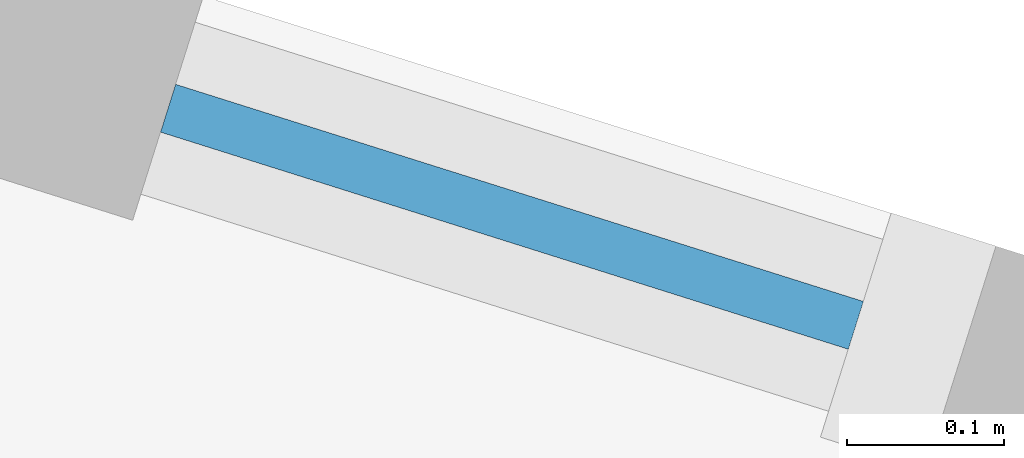
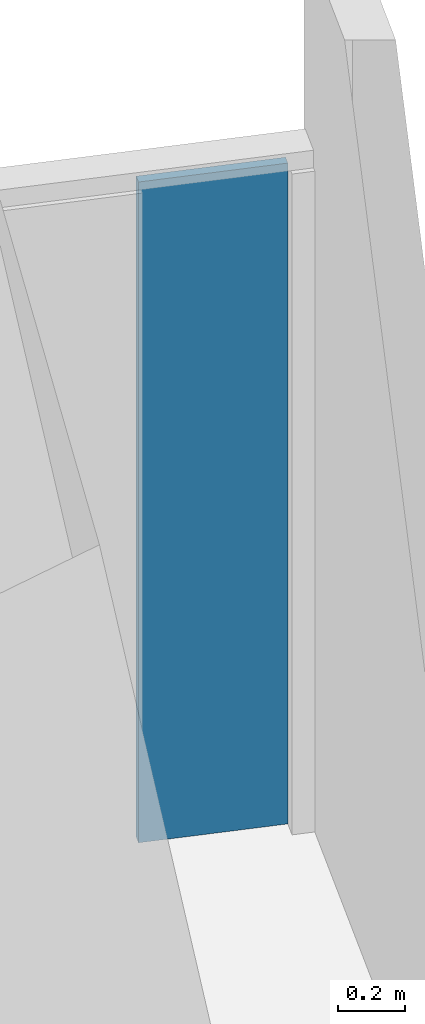
# One storey, part 14 of 24: 1 plate, 1 element without a shape of its own.
"""IFC4 building model written with IfcOpenShell, lengths in metres."""

from ifc_helpers import new_model, si_unit, direction, frame, origin, origin_2d, place, context, subcontext, project, spatial, rectangle, extrude, material, layer, layer_set, type_object, element, aggregate, save


model = new_model("IFC4")

# Units and contexts
model_context = context("Model", 3, precision=1e-05, world=origin(), true_north=direction((0.0, 1.0)))
body_context = subcontext(model_context, "Body", "Model", "MODEL_VIEW")
ifc_project = project(units=[si_unit("LENGTHUNIT", "METRE"), si_unit("AREAUNIT", "SQUARE_METRE"), si_unit("VOLUMEUNIT", "CUBIC_METRE"), si_unit("PLANEANGLEUNIT", "RADIAN"), si_unit("MASSUNIT", "GRAM", prefix="KILO")], contexts=[model_context])

# Site, building, storey
site_placement = place(None, origin())
site = spatial("IfcSite", under=ifc_project, at=site_placement, CompositionType="ELEMENT")
building_placement = place(site_placement, origin())
building = spatial("IfcBuilding", under=site, at=building_placement, Name="Verdalira Terraces Hotel", CompositionType="ELEMENT")
storey_placement = place(building_placement, frame((0.0, 0.0, 86.0)))
storey = spatial("IfcBuildingStorey", under=building, at=storey_placement, Name="L19", CompositionType="ELEMENT", Elevation=86.0)

# Curtain wall, plate
ifc_material_1 = material(Name="Clear glass", Category="glass")
ifc_layer_1 = layer(ifc_material_1, 0.14990234375)
ifc_layer_set_1 = layer_set([ifc_layer_1], Name="CW2 curtain wall")
curtain_wall_type = type_object("IfcCurtainWallType", Name="CW2 curtain wall", PredefinedType="NOTDEFINED", material=ifc_layer_set_1)
curtain_wall_placement = place(storey_placement, origin())
curtain_wall = element("IfcCurtainWall", 1, at=curtain_wall_placement, inside=storey, type_object=curtain_wall_type, Name="CW2 curtain wall L19 edge 38", PredefinedType="NOTDEFINED")
ifc_material_2 = material(Name="Clear glass", Category="glass")
ifc_layer_2 = layer(ifc_material_2, 0.031982421875)
ifc_layer_set_2 = layer_set([ifc_layer_2], Name="CW2 glass unit 32")
plate_type = type_object("IfcPlateType", Name="CW2 glass unit 32", PredefinedType="CURTAIN_PANEL", material=ifc_layer_set_2)
plate_placement = place(storey_placement, frame((31.684082, -3.264648, 0.0), z_axis=(0.0, 0.0, 1.0), x_axis=(-0.953611927, 0.301038691, 0.0)))
plate = element("IfcPlate", 2, at=plate_placement, type_object=plate_type, Name="CW2 glass unit", PredefinedType="CURTAIN_PANEL", context=body_context, shape_type="SweptSolid", body=[
    extrude(rectangle(XDim=0.459961, YDim=0.031982, at=origin_2d()), origin(), (0.0, 0.0, 1.0), 2.425049),
])
aggregate(curtain_wall, [plate])

save(model, "model.ifc")
